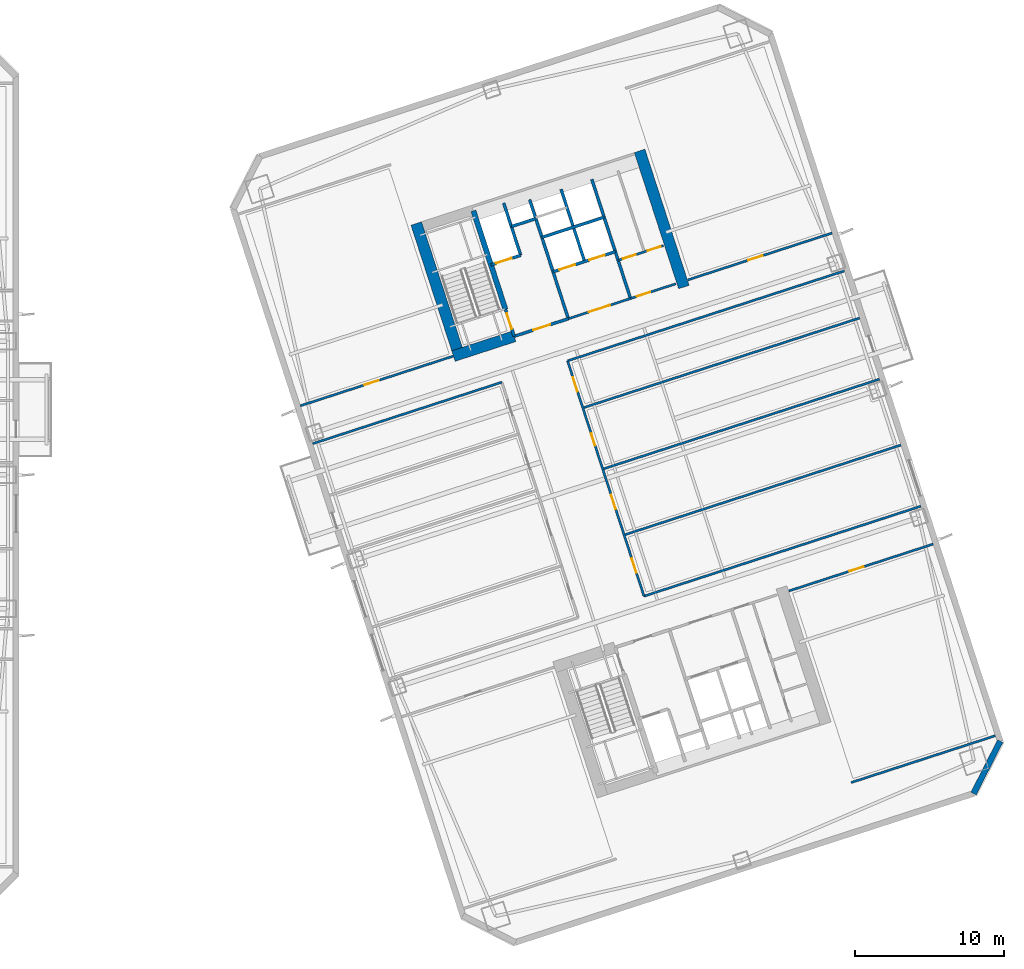
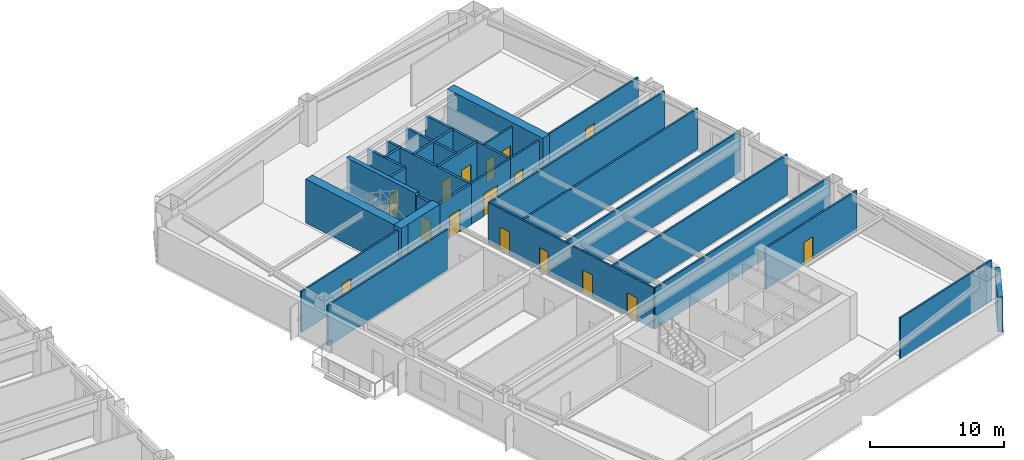
# One storey, part 8 of 21: 29 walls, 16 doors, 16 openings.
"""IFC4 building model written with IfcOpenShell, lengths in metres."""

from ifc_helpers import new_model, si_unit, direction, frame, frame_2d, origin, place, context, subcontext, project, spatial, rectangle, extrude, material, layer, layer_set, type_object, element, fill, save


model = new_model("IFC4")

# Units and contexts
model_context = context("Model", 3, precision=1e-05, world=origin(), true_north=direction((0.0, 1.0)))
body_context = subcontext(model_context, "Body", "Model", "MODEL_VIEW")
ifc_project = project(units=[si_unit("LENGTHUNIT", "METRE"), si_unit("AREAUNIT", "SQUARE_METRE"), si_unit("VOLUMEUNIT", "CUBIC_METRE"), si_unit("PLANEANGLEUNIT", "RADIAN"), si_unit("MASSUNIT", "GRAM", prefix="KILO")], contexts=[model_context])

# Site, building, storey
site_placement = place(None, origin())
site = spatial("IfcSite", under=ifc_project, at=site_placement, CompositionType="ELEMENT")
building_placement = place(site_placement, origin())
building = spatial("IfcBuilding", under=site, at=building_placement, Name="Qiaolan Cultural Towers", CompositionType="ELEMENT")
storey_placement = place(building_placement, frame((0.0, 0.0, 34.0)))
storey = spatial("IfcBuildingStorey", under=building, at=storey_placement, Name="L07", CompositionType="ELEMENT", Elevation=34.0)

# Walls
ifc_material_1 = material(Name="Concrete C50", Category="concrete")
ifc_layer_1 = layer(ifc_material_1, 0.35009765625)
ifc_layer_set_1 = layer_set([ifc_layer_1], Name="Concrete C50")
wall_type_1 = type_object("IfcWallType", Name="WL-CORE-350", PredefinedType="SHEAR", material=ifc_layer_set_1)
wall_1_placement = place(storey_placement, frame((82.513671875, 45.13134765625, 0.0), z_axis=(0.0, 0.0, 1.0), x_axis=(-0.308988790936, 0.951065679686, 0.0)))
element("IfcWall", 1, at=wall_1_placement, inside=storey, type_object=wall_type_1, Name="L07 T2-CN Stair Core Dividing Web", PredefinedType="SHEAR", context=body_context, shape_type="SweptSolid", body=[
    extrude(rectangle(XDim=6.97998046875, YDim=0.35009765625, at=frame_2d((3.489990234375, 0.0))), origin(), (0.0, 0.0, 1.0), 4.0),
])
ifc_material_2 = material(Name="Concrete C60", Category="concrete")
ifc_layer_2 = layer(ifc_material_2, 0.75)
ifc_layer_set_2 = layer_set([ifc_layer_2], Name="Concrete C60")
wall_type_2 = type_object("IfcWallType", Name="WL-CORE-750", PredefinedType="SHEAR", material=ifc_layer_set_2)
for number, where, z_axis, x_axis, name in (
    (2, (79.48876953125, 41.75634765625, 0.0), (0.0, 0.0, 1.0), (-0.309016134813, 0.951056795583, 0.0), "L07 T2-CN West Core Shear Wall"),
    (3, (94.515380859375, 46.638916015625, 0.0), (0.0, 0.0, 1.0), (-0.309016134813, 0.951056795583, 0.0), "L07 T2-CN East Core Shear Wall"),
):
    element("IfcWall", number, at=place(storey_placement, frame(where, z_axis=z_axis, x_axis=x_axis)), inside=storey, type_object=wall_type_2, Name=name, PredefinedType="SHEAR", context=body_context, shape_type="SweptSolid", body=[
        extrude(rectangle(XDim=9.630126953125, YDim=0.75, at=frame_2d((4.81494140625, 0.0))), origin(), (0.0, 0.0, 1.0), 4.0),
    ])
wall_2_placement = place(storey_placement, frame((79.01611328125, 41.997314453125, 0.0), z_axis=(0.0, 0.0, 1.0), x_axis=(0.95106038264, 0.309005094736, 0.0)))
element("IfcWall", 4, at=wall_2_placement, inside=storey, type_object=wall_type_2, Name="L07 T2-CN Stair Front Shear Wall", PredefinedType="SHEAR", context=body_context, shape_type="SweptSolid", body=[
    extrude(rectangle(XDim=4.294921875, YDim=0.75, at=frame_2d((2.1474609375, 0.0))), origin(), (0.0, 0.0, 1.0), 4.0),
])
ifc_material_3 = material(Name="Precast Concrete C50 Honed Stone Pier", Category="masonry")
ifc_layer_3 = layer(ifc_material_3, 0.39990234375)
ifc_layer_set_3 = layer_set([ifc_layer_3], Name="Precast Concrete C50 Honed Stone Pier")
wall_type_3 = type_object("IfcWallType", Name="WL-EXT-PIER-400", PredefinedType="SOLIDWALL", material=ifc_layer_set_3)
wall_3_placement = place(storey_placement, frame((115.79541015625, 16.094970703125, 0.0), z_axis=(0.0, 0.0, 1.0), x_axis=(-0.453958106755, -0.891023028497, 0.0)))
element("IfcWall", 5, at=wall_3_placement, inside=storey, type_object=wall_type_3, Name="L07 East Tower Precast Pier Facade Wall F6", PredefinedType="SOLIDWALL", context=body_context, shape_type="SweptSolid", body=[
    extrude(rectangle(XDim=3.9599609375, YDim=0.39990234375, at=frame_2d((1.97998046875, 0.0))), origin(), (0.0, 0.0, 1.0), 3.159912109375),
])

# Wall, opening, door
ifc_material_4 = material(Name="Concrete C35 Fire Wall", Category="concrete")
ifc_layer_4 = layer(ifc_material_4, 0.199951171875)
ifc_layer_set_4 = layer_set([ifc_layer_4], Name="Concrete C35 Fire Wall")
wall_type_4 = type_object("IfcWallType", Name="WL-FIRE-200", PredefinedType="PARTITIONING", material=ifc_layer_set_4)
wall_4_placement = place(storey_placement, frame((83.100830078125, 43.324462890625, 0.0), z_axis=(0.0, 0.0, 1.0), x_axis=(-0.309048298632, 0.951046344356, 0.0)))
wall_4 = element("IfcWall", 6, at=wall_4_placement, inside=storey, type_object=wall_type_4, Name="L07 T2-CN Smokeproof Stair Entry Wall", PredefinedType="PARTITIONING", context=body_context, shape_type="SweptSolid", body=[
    extrude(rectangle(XDim=1.89990234375, YDim=0.199951171875, at=frame_2d((0.949951171875, 0.0))), origin(), (0.0, 0.0, 1.0), 3.72509765625),
])
opening_1_placement = place(wall_4_placement, frame((0.52001953125, 0.0, 0.0)))
opening_1 = element("IfcOpeningElement", 7, at=opening_1_placement, cuts=wall_4, Name="Opening FD-04", PredefinedType="OPENING", context=body_context, shape_type="SweptSolid", body=[
    extrude(rectangle(XDim=1.10009765625, YDim=2.050048828125, at=frame_2d((0.550048828125, 1.02490234375))), frame((0.0, 0.10986328125, 0.0), z_axis=(0.0, -1.0, 0.0), x_axis=(1.0, 0.0, 0.0)), (0.0, 0.0, 1.0), 0.219970703125),
])
ifc_material_5 = material(Name="Galvanized Steel Command Fire Door", Category="steel")
door_type_1 = type_object("IfcDoorType", Name="DR-FD90-1100", OperationType="NOTDEFINED", PredefinedType="DOOR", material=ifc_material_5)
door_1_placement = place(opening_1_placement, origin())
door_1 = element("IfcDoor", 8, at=door_1_placement, inside=storey, type_object=door_type_1, Name="L07 ST-E2 Smokeproof Stair Fire Door", OperationType="SINGLE_SWING_LEFT", OverallHeight=2.050048828125, OverallWidth=1.10009765625, PredefinedType="DOOR", context=body_context, shape_type="SweptSolid", body=[
    extrude(rectangle(XDim=1.10009765625, YDim=2.050048828125, at=frame_2d((0.550048828125, 1.02490234375))), frame((0.0, 0.02490234375, 0.0), z_axis=(0.0, -1.0, 0.0), x_axis=(1.0, 0.0, 0.0)), (0.0, 0.0, 1.0), 0.050048828125),
])
fill(opening_1, door_1)

# Wall
wall_5_placement = place(storey_placement, frame((86.743408203125, 44.508056640625, 0.0), z_axis=(0.0, 0.0, 1.0), x_axis=(-0.309016001439, 0.951056838919, 0.0)))
element("IfcWall", 9, at=wall_5_placement, inside=storey, type_object=wall_type_4, Name="L07 T2-CN Firefighting Zone Wall", PredefinedType="PARTITIONING", context=body_context, shape_type="SweptSolid", body=[
    extrude(rectangle(XDim=8.429931640625, YDim=0.199951171875, at=frame_2d((4.21484375, 0.0))), origin(), (0.0, 0.0, 1.0), 3.72509765625),
])

# Wall, opening, door
wall_6_placement = place(storey_placement, frame((83.100830078125, 43.324462890625, 0.0), z_axis=(0.0, 0.0, 1.0), x_axis=(0.951052804469, 0.309028417967, 0.0)))
wall_6 = element("IfcWall", 10, at=wall_6_placement, inside=storey, type_object=wall_type_4, Name="L07 T2-CN Firefighting Lobby Front Wall", PredefinedType="PARTITIONING", context=body_context, shape_type="SweptSolid", body=[
    extrude(rectangle(XDim=3.830078125, YDim=0.199951171875, at=frame_2d((1.9150390625, 0.0))), origin(), (0.0, 0.0, 1.0), 3.72509765625),
])
opening_2_placement = place(wall_6_placement, frame((1.35009765625, 0.0, 0.0)))
opening_2 = element("IfcOpeningElement", 11, at=opening_2_placement, cuts=wall_6, Name="Opening FD-03", PredefinedType="OPENING", context=body_context, shape_type="SweptSolid", body=[
    extrude(rectangle(XDim=1.199951171875, YDim=2.050048828125, at=frame_2d((0.60009765625, 1.02490234375))), frame((0.0, 0.10986328125, 0.0), z_axis=(0.0, -1.0, 0.0), x_axis=(1.0, 0.0, 0.0)), (0.0, 0.0, 1.0), 0.219970703125),
])
ifc_material_6 = material(Name="Galvanized Steel Smokeproof Lobby Fire Door", Category="steel")
door_type_2 = type_object("IfcDoorType", Name="DR-FD90-1200", OperationType="NOTDEFINED", PredefinedType="DOOR", material=ifc_material_6)
door_2_placement = place(opening_2_placement, origin())
door_2 = element("IfcDoor", 12, at=door_2_placement, inside=storey, type_object=door_type_2, Name="L07 FFL-E2 Firefighting Lobby Fire Door", OperationType="SINGLE_SWING_LEFT", OverallHeight=2.050048828125, OverallWidth=1.199951171875, PredefinedType="DOOR", context=body_context, shape_type="SweptSolid", body=[
    extrude(rectangle(XDim=1.199951171875, YDim=2.050048828125, at=frame_2d((0.60009765625, 1.02490234375))), frame((0.0, 0.02490234375, 0.0), z_axis=(0.0, -1.0, 0.0), x_axis=(1.0, 0.0, 0.0)), (0.0, 0.0, 1.0), 0.050048828125),
])
fill(opening_2, door_2)

wall_7_placement = place(storey_placement, frame((81.540283203125, 48.127197265625, 0.0), z_axis=(0.0, 0.0, 1.0), x_axis=(0.951062257173, 0.308999325213, 0.0)))
wall_7 = element("IfcWall", 13, at=wall_7_placement, inside=storey, type_object=wall_type_4, Name="L07 T2-CN Firefighting Shaft Front Wall", PredefinedType="PARTITIONING", context=body_context, shape_type="SweptSolid", body=[
    extrude(rectangle(XDim=2.10009765625, YDim=0.199951171875, at=frame_2d((1.050048828125, 0.0))), origin(), (0.0, 0.0, 1.0), 3.72509765625),
])
opening_3_placement = place(wall_7_placement, frame((0.35009765625, 0.0, 0.0)))
opening_3 = element("IfcOpeningElement", 14, at=opening_3_placement, cuts=wall_7, Name="Opening LD-01", PredefinedType="OPENING", context=body_context, shape_type="SweptSolid", body=[
    extrude(rectangle(XDim=1.10009765625, YDim=2.050048828125, at=frame_2d((0.550048828125, 1.02490234375))), frame((0.0, 0.10986328125, 0.0), z_axis=(0.0, -1.0, 0.0), x_axis=(1.0, 0.0, 0.0)), (0.0, 0.0, 1.0), 0.219970703125),
])
ifc_material_7 = material(Name="Brushed Stainless Steel S30408 Centre-Parting Lift Landing Door", Category="steel")
door_type_3 = type_object("IfcDoorType", Name="DR-LIFT-1100", OperationType="NOTDEFINED", PredefinedType="DOOR", material=ifc_material_7)
door_3_placement = place(opening_3_placement, origin())
door_3 = element("IfcDoor", 15, at=door_3_placement, inside=storey, type_object=door_type_3, Name="L07 FFL-E2 Firefighting Lift Landing Door", OperationType="DOUBLE_DOOR_SLIDING", OverallHeight=2.050048828125, OverallWidth=1.10009765625, PredefinedType="DOOR", context=body_context, shape_type="SweptSolid", body=[
    extrude(rectangle(XDim=1.10009765625, YDim=2.050048828125, at=frame_2d((0.550048828125, 1.02490234375))), frame((0.0, 0.02490234375, 0.0), z_axis=(0.0, -1.0, 0.0), x_axis=(1.0, 0.0, 0.0)), (0.0, 0.0, 1.0), 0.050048828125),
])
fill(opening_3, door_3)

# Walls
wall_8_placement = place(storey_placement, frame((83.53759765625, 48.776123046875, 0.0), z_axis=(0.0, 0.0, 1.0), x_axis=(-0.3089935693, 0.951064127245, 0.0)))
element("IfcWall", 16, at=wall_8_placement, inside=storey, type_object=wall_type_4, Name="L07 T2-CN Firefighting Hoistway East Wall", PredefinedType="PARTITIONING", context=body_context, shape_type="SweptSolid", body=[
    extrude(rectangle(XDim=3.7001953125, YDim=0.199951171875, at=frame_2d((1.85009765625, 0.0))), origin(), (0.0, 0.0, 1.0), 3.72509765625),
])
wall_9_placement = place(storey_placement, frame((82.910400390625, 50.706787109375, 0.0), z_axis=(0.0, 0.0, 1.0), x_axis=(0.951041328149, 0.309063734775, 0.0)))
element("IfcWall", 17, at=wall_9_placement, inside=storey, type_object=wall_type_4, Name="L07 T2-CN Pressurization Shaft Front Wall", PredefinedType="PARTITIONING", context=body_context, shape_type="SweptSolid", body=[
    extrude(rectangle(XDim=1.72998046875, YDim=0.199951171875, at=frame_2d((0.864990234375, 0.0))), origin(), (0.0, 0.0, 1.0), 3.72509765625),
])
wall_10_placement = place(storey_placement, frame((90.92822265625, 45.86767578125, 0.0), z_axis=(0.0, 0.0, 1.0), x_axis=(-0.309042196757, 0.951048327176, 0.0)))
element("IfcWall", 18, at=wall_10_placement, inside=storey, type_object=wall_type_4, Name="L07 T2-CN Lift Core East Wall", PredefinedType="PARTITIONING", context=body_context, shape_type="SweptSolid", body=[
    extrude(rectangle(XDim=8.429931640625, YDim=0.199951171875, at=frame_2d((4.21484375, 0.0))), origin(), (0.0, 0.0, 1.0), 3.72509765625),
])

# Wall, openings, doors
wall_11_placement = place(storey_placement, frame((85.717529296875, 47.66552734375, 0.0), z_axis=(0.0, 0.0, 1.0), x_axis=(0.951058531764, 0.30901079133, 0.0)))
wall_11 = element("IfcWall", 19, at=wall_11_placement, inside=storey, type_object=wall_type_4, Name="L07 T2-CN Passenger Lift Shaft Front Wall", PredefinedType="PARTITIONING", context=body_context, shape_type="SweptSolid", body=[
    extrude(rectangle(XDim=4.39990234375, YDim=0.199951171875, at=frame_2d((2.199951171875, 0.0))), origin(), (0.0, 0.0, 1.0), 3.72509765625),
])
opening_4_placement = place(wall_11_placement, frame((0.449951171875, 0.0, 0.0)))
opening_4 = element("IfcOpeningElement", 20, at=opening_4_placement, cuts=wall_11, Name="Opening LD-01", PredefinedType="OPENING", context=body_context, shape_type="SweptSolid", body=[
    extrude(rectangle(XDim=1.10009765625, YDim=2.050048828125, at=frame_2d((0.550048828125, 1.02490234375))), frame((0.0, 0.10986328125, 0.0), z_axis=(0.0, -1.0, 0.0), x_axis=(1.0, 0.0, 0.0)), (0.0, 0.0, 1.0), 0.219970703125),
])
opening_5_placement = place(wall_11_placement, frame((2.550048828125, 0.0, 0.0)))
opening_5 = element("IfcOpeningElement", 21, at=opening_5_placement, cuts=wall_11, Name="Opening LD-01", PredefinedType="OPENING", context=body_context, shape_type="SweptSolid", body=[
    extrude(rectangle(XDim=1.10009765625, YDim=2.050048828125, at=frame_2d((0.550048828125, 1.02490234375))), frame((0.0, 0.10986328125, 0.0), z_axis=(0.0, -1.0, 0.0), x_axis=(1.0, 0.0, 0.0)), (0.0, 0.0, 1.0), 0.219970703125),
])
door_4_placement = place(opening_4_placement, origin())
door_4 = element("IfcDoor", 22, at=door_4_placement, inside=storey, type_object=door_type_3, Name="L07 Passenger Lift 1 Landing Door", OperationType="DOUBLE_DOOR_SLIDING", OverallHeight=2.050048828125, OverallWidth=1.10009765625, PredefinedType="DOOR", context=body_context, shape_type="SweptSolid", body=[
    extrude(rectangle(XDim=1.10009765625, YDim=2.050048828125, at=frame_2d((0.550048828125, 1.02490234375))), frame((0.0, 0.02490234375, 0.0), z_axis=(0.0, -1.0, 0.0), x_axis=(1.0, 0.0, 0.0)), (0.0, 0.0, 1.0), 0.050048828125),
])
fill(opening_4, door_4)
door_5_placement = place(opening_5_placement, origin())
door_5 = element("IfcDoor", 23, at=door_5_placement, inside=storey, type_object=door_type_3, Name="L07 Passenger Lift 2 Landing Door", OperationType="DOUBLE_DOOR_SLIDING", OverallHeight=2.050048828125, OverallWidth=1.10009765625, PredefinedType="DOOR", context=body_context, shape_type="SweptSolid", body=[
    extrude(rectangle(XDim=1.10009765625, YDim=2.050048828125, at=frame_2d((0.550048828125, 1.02490234375))), frame((0.0, 0.02490234375, 0.0), z_axis=(0.0, -1.0, 0.0), x_axis=(1.0, 0.0, 0.0)), (0.0, 0.0, 1.0), 0.050048828125),
])
fill(opening_5, door_5)

# Walls
wall_12_placement = place(storey_placement, frame((87.83837890625, 48.3544921875, 0.0), z_axis=(0.0, 0.0, 1.0), x_axis=(-0.3090093719, 0.951058992953, 0.0)))
element("IfcWall", 24, at=wall_12_placement, inside=storey, type_object=wall_type_4, Name="L07 T2-CN Lift Shaft Divider Wall", PredefinedType="PARTITIONING", context=body_context, shape_type="SweptSolid", body=[
    extrude(rectangle(XDim=5.110107421875, YDim=0.199951171875, at=frame_2d((2.55517578125, 0.0))), origin(), (0.0, 0.0, 1.0), 3.72509765625),
])
wall_13_placement = place(storey_placement, frame((84.966552734375, 49.9765625, 0.0), z_axis=(0.0, 0.0, 1.0), x_axis=(0.951063829732, 0.308994485023, 0.0)))
element("IfcWall", 25, at=wall_13_placement, inside=storey, type_object=wall_type_4, Name="L07 T2-CN Passenger Lift Shaft Back Wall", PredefinedType="PARTITIONING", context=body_context, shape_type="SweptSolid", body=[
    extrude(rectangle(XDim=4.400146484375, YDim=0.199951171875, at=frame_2d((2.2001953125, 0.0))), origin(), (0.0, 0.0, 1.0), 3.72509765625),
])

# Wall, opening, door
ifc_material_8 = material(Name="Autoclaved Aerated Concrete Block B06", Category="concrete")
ifc_layer_5 = layer(ifc_material_8, 0.14990234375)
ifc_layer_set_5 = layer_set([ifc_layer_5], Name="Autoclaved Aerated Concrete Block B06")
wall_type_5 = type_object("IfcWallType", Name="WL-PART-150", PredefinedType="PARTITIONING", material=ifc_layer_set_5)
wall_14_placement = place(storey_placement, frame((86.743408203125, 44.508056640625, 0.0), z_axis=(0.0, 0.0, 1.0), x_axis=(0.951063829732, 0.308994485023, 0.0)))
wall_14 = element("IfcWall", 26, at=wall_14_placement, inside=storey, type_object=wall_type_5, Name="L07 T2-CN Passenger Lift Lobby Front Wall", PredefinedType="PARTITIONING", context=body_context, shape_type="SweptSolid", body=[
    extrude(rectangle(XDim=4.400146484375, YDim=0.14990234375, at=frame_2d((2.2001953125, 0.0))), origin(), (0.0, 0.0, 1.0), 3.72509765625),
])
opening_6_placement = place(wall_14_placement, frame((1.449951171875, 0.0, 0.0)))
opening_6 = element("IfcOpeningElement", 27, at=opening_6_placement, cuts=wall_14, Name="Opening FD-05", PredefinedType="OPENING", context=body_context, shape_type="SweptSolid", body=[
    extrude(rectangle(XDim=1.5, YDim=2.050048828125, at=frame_2d((0.75, 1.02490234375))), frame((0.0, 0.0849609375, 0.0), z_axis=(0.0, -1.0, 0.0), x_axis=(1.0, 0.0, 0.0)), (0.0, 0.0, 1.0), 0.169921875),
])
ifc_material_9 = material(Name="Painted Steel Lift Lobby Fire Door", Category="steel")
door_type_4 = type_object("IfcDoorType", Name="DR-FD60-1500", OperationType="NOTDEFINED", PredefinedType="DOOR", material=ifc_material_9)
door_6_placement = place(opening_6_placement, origin())
door_6 = element("IfcDoor", 28, at=door_6_placement, inside=storey, type_object=door_type_4, Name="L07 Passenger Lift Lobby Entrance", OperationType="SINGLE_SWING_LEFT", OverallHeight=2.050048828125, OverallWidth=1.5, PredefinedType="DOOR", context=body_context, shape_type="SweptSolid", body=[
    extrude(rectangle(XDim=1.5, YDim=2.050048828125, at=frame_2d((0.75, 1.02490234375))), frame((0.0, 0.02490234375, 0.0), z_axis=(0.0, -1.0, 0.0), x_axis=(1.0, 0.0, 0.0)), (0.0, 0.0, 1.0), 0.050048828125),
])
fill(opening_6, door_6)

wall_15_placement = place(storey_placement, frame((90.92822265625, 45.86767578125, 0.0), z_axis=(0.0, 0.0, 1.0), x_axis=(0.951059297078, 0.309008435874, 0.0)))
wall_15 = element("IfcWall", 29, at=wall_15_placement, inside=storey, type_object=wall_type_5, Name="L07 T2-CN Sanitary Core Front Wall", PredefinedType="PARTITIONING", context=body_context, shape_type="SweptSolid", body=[
    extrude(rectangle(XDim=3.19970703125, YDim=0.14990234375, at=frame_2d((1.599853515625, 0.0))), origin(), (0.0, 0.0, 1.0), 3.72509765625),
])
opening_7_placement = place(wall_15_placement, frame((0.449951171875, 0.0, 0.0)))
opening_7 = element("IfcOpeningElement", 30, at=opening_7_placement, cuts=wall_15, Name="Opening ID-05", PredefinedType="OPENING", context=body_context, shape_type="SweptSolid", body=[
    extrude(rectangle(XDim=0.949951171875, YDim=2.050048828125, at=frame_2d((0.47509765625, 1.02490234375))), frame((0.0, 0.0849609375, 0.0), z_axis=(0.0, -1.0, 0.0), x_axis=(1.0, 0.0, 0.0)), (0.0, 0.0, 1.0), 0.169921875),
])
ifc_material_10 = material(Name="Fire-Rated Laminate Accessible Core Door", Category="timber")
door_type_5 = type_object("IfcDoorType", Name="DR-INT-950", OperationType="NOTDEFINED", PredefinedType="DOOR", material=ifc_material_10)
door_7_placement = place(opening_7_placement, origin())
door_7 = element("IfcDoor", 31, at=door_7_placement, inside=storey, type_object=door_type_5, Name="L07 Sanitary Vestibule Door", OperationType="SINGLE_SWING_LEFT", OverallHeight=2.050048828125, OverallWidth=0.949951171875, PredefinedType="DOOR", context=body_context, shape_type="SweptSolid", body=[
    extrude(rectangle(XDim=0.949951171875, YDim=2.050048828125, at=frame_2d((0.47509765625, 1.02490234375))), frame((0.0, 0.02490234375, 0.0), z_axis=(0.0, -1.0, 0.0), x_axis=(1.0, 0.0, 0.0)), (0.0, 0.0, 1.0), 0.050048828125),
])
fill(opening_7, door_7)

# Wall, openings, doors
wall_16_placement = place(storey_placement, frame((90.09375, 48.435546875, 0.0), z_axis=(0.0, 0.0, 1.0), x_axis=(0.951066581729, 0.308986014439, 0.0)))
wall_16 = element("IfcWall", 32, at=wall_16_placement, inside=storey, type_object=wall_type_5, Name="L07 T2-CN Restroom Vestibule Wall", PredefinedType="PARTITIONING", context=body_context, shape_type="SweptSolid", body=[
    extrude(rectangle(XDim=3.199951171875, YDim=0.14990234375, at=frame_2d((1.60009765625, 0.0))), origin(), (0.0, 0.0, 1.0), 3.72509765625),
])
opening_8_placement = place(wall_16_placement, frame((0.35009765625, 0.0, 0.0)))
opening_8 = element("IfcOpeningElement", 33, at=opening_8_placement, cuts=wall_16, Name="Opening ID-06", PredefinedType="OPENING", context=body_context, shape_type="SweptSolid", body=[
    extrude(rectangle(XDim=0.89990234375, YDim=2.050048828125, at=frame_2d((0.449951171875, 1.02490234375))), frame((0.0, 0.0849609375, 0.0), z_axis=(0.0, -1.0, 0.0), x_axis=(1.0, 0.0, 0.0)), (0.0, 0.0, 1.0), 0.169921875),
])
opening_9_placement = place(wall_16_placement, frame((2.10009765625, 0.0, 0.0)))
opening_9 = element("IfcOpeningElement", 34, at=opening_9_placement, cuts=wall_16, Name="Opening ID-06", PredefinedType="OPENING", context=body_context, shape_type="SweptSolid", body=[
    extrude(rectangle(XDim=0.89990234375, YDim=2.050048828125, at=frame_2d((0.449951171875, 1.02490234375))), frame((0.0, 0.0849609375, 0.0), z_axis=(0.0, -1.0, 0.0), x_axis=(1.0, 0.0, 0.0)), (0.0, 0.0, 1.0), 0.169921875),
])
ifc_material_11 = material(Name="Fire-Rated Laminate Core Service Door", Category="timber")
door_type_6 = type_object("IfcDoorType", Name="DR-INT-900", OperationType="NOTDEFINED", PredefinedType="DOOR", material=ifc_material_11)
door_8_placement = place(opening_8_placement, origin())
door_8 = element("IfcDoor", 35, at=door_8_placement, inside=storey, type_object=door_type_6, Name="L07 Men Restroom Door", OperationType="SINGLE_SWING_LEFT", OverallHeight=2.050048828125, OverallWidth=0.89990234375, PredefinedType="DOOR", context=body_context, shape_type="SweptSolid", body=[
    extrude(rectangle(XDim=0.89990234375, YDim=2.050048828125, at=frame_2d((0.449951171875, 1.02490234375))), frame((0.0, 0.02490234375, 0.0), z_axis=(0.0, -1.0, 0.0), x_axis=(1.0, 0.0, 0.0)), (0.0, 0.0, 1.0), 0.050048828125),
])
fill(opening_8, door_8)
door_9_placement = place(opening_9_placement, origin())
door_9 = element("IfcDoor", 36, at=door_9_placement, inside=storey, type_object=door_type_6, Name="L07 Accessible & Women Restroom Door", OperationType="SINGLE_SWING_RIGHT", OverallHeight=2.050048828125, OverallWidth=0.89990234375, PredefinedType="DOOR", context=body_context, shape_type="SweptSolid", body=[
    extrude(rectangle(XDim=0.89990234375, YDim=2.050048828125, at=frame_2d((0.449951171875, 1.02490234375))), frame((0.0, 0.02490234375, 0.0), z_axis=(0.0, -1.0, 0.0), x_axis=(1.0, 0.0, 0.0)), (0.0, 0.0, 1.0), 0.050048828125),
])
fill(opening_9, door_9)

# Wall
wall_17_placement = place(storey_placement, frame((105.765380859375, 13.30908203125, 0.0), z_axis=(0.0, 0.0, 1.0), x_axis=(0.951054294345, 0.309023832749, 0.0)))
element("IfcWall", 37, at=wall_17_placement, inside=storey, type_object=wall_type_5, Name="L07 T2 Flank Wall FLK-SE", PredefinedType="PARTITIONING", context=body_context, shape_type="SweptSolid", body=[
    extrude(rectangle(XDim=10.2001953125, YDim=0.14990234375, at=frame_2d((5.10009765625, 0.0))), origin(), (0.0, 0.0, 1.0), 3.72509765625),
])

# Wall, opening, door
wall_18_placement = place(storey_placement, frame((101.578369140625, 26.196044921875, 0.0), z_axis=(0.0, 0.0, 1.0), x_axis=(0.951059043131, 0.309009217467, 0.0)))
wall_18 = element("IfcWall", 38, at=wall_18_placement, inside=storey, type_object=wall_type_5, Name="L07 T2 Flank Front FLK-SE", PredefinedType="PARTITIONING", context=body_context, shape_type="SweptSolid", body=[
    extrude(rectangle(XDim=10.199951171875, YDim=0.14990234375, at=frame_2d((5.10009765625, 0.0))), origin(), (0.0, 0.0, 1.0), 3.72509765625),
])
opening_10_placement = place(wall_18_placement, frame((4.283935546875, 0.0, 0.0)))
opening_10 = element("IfcOpeningElement", 39, at=opening_10_placement, cuts=wall_18, Name="Opening ID-04", PredefinedType="OPENING", context=body_context, shape_type="SweptSolid", body=[
    extrude(rectangle(XDim=1.0, YDim=2.050048828125, at=frame_2d((0.5, 1.02490234375))), frame((0.0, 0.0849609375, 0.0), z_axis=(0.0, -1.0, 0.0), x_axis=(1.0, 0.0, 0.0)), (0.0, 0.0, 1.0), 0.169921875),
])
ifc_material_12 = material(Name="Oak Veneer Acoustic Office Door", Category="timber")
door_type_7 = type_object("IfcDoorType", Name="DR-INT-1000", OperationType="NOTDEFINED", PredefinedType="DOOR", material=ifc_material_12)
door_10_placement = place(opening_10_placement, origin())
door_10 = element("IfcDoor", 40, at=door_10_placement, inside=storey, type_object=door_type_7, Name="L07 T2 Corner Studio Door", OperationType="SINGLE_SWING_LEFT", OverallHeight=2.050048828125, OverallWidth=1.0, PredefinedType="DOOR", context=body_context, shape_type="SweptSolid", body=[
    extrude(rectangle(XDim=1.0, YDim=2.050048828125, at=frame_2d((0.5, 1.02490234375))), frame((0.0, 0.02490234375, 0.0), z_axis=(0.0, -1.0, 0.0), x_axis=(1.0, 0.0, 0.0)), (0.0, 0.0, 1.0), 0.050048828125),
])
fill(opening_10, door_10)

wall_19_placement = place(storey_placement, frame((68.720947265625, 38.652099609375, 0.0), z_axis=(0.0, 0.0, 1.0), x_axis=(0.951056658866, 0.309016555588, 0.0)))
wall_19 = element("IfcWall", 41, at=wall_19_placement, inside=storey, type_object=wall_type_5, Name="L07 T2 Flank Front FLK-NW", PredefinedType="PARTITIONING", context=body_context, shape_type="SweptSolid", body=[
    extrude(rectangle(XDim=10.800048828125, YDim=0.14990234375, at=frame_2d((5.39990234375, 0.0))), origin(), (0.0, 0.0, 1.0), 3.72509765625),
])
opening_11_placement = place(wall_19_placement, frame((4.535888671875, 0.0, 0.0)))
opening_11 = element("IfcOpeningElement", 42, at=opening_11_placement, cuts=wall_19, Name="Opening ID-04", PredefinedType="OPENING", context=body_context, shape_type="SweptSolid", body=[
    extrude(rectangle(XDim=1.0, YDim=2.050048828125, at=frame_2d((0.5, 1.02490234375))), frame((0.0, 0.0849609375, 0.0), z_axis=(0.0, -1.0, 0.0), x_axis=(1.0, 0.0, 0.0)), (0.0, 0.0, 1.0), 0.169921875),
])
door_11_placement = place(opening_11_placement, origin())
door_11 = element("IfcDoor", 43, at=door_11_placement, inside=storey, type_object=door_type_7, Name="L07 T2 Corner Studio Door", OperationType="SINGLE_SWING_LEFT", OverallHeight=2.050048828125, OverallWidth=1.0, PredefinedType="DOOR", context=body_context, shape_type="SweptSolid", body=[
    extrude(rectangle(XDim=1.0, YDim=2.050048828125, at=frame_2d((0.5, 1.02490234375))), frame((0.0, 0.02490234375, 0.0), z_axis=(0.0, -1.0, 0.0), x_axis=(1.0, 0.0, 0.0)), (0.0, 0.0, 1.0), 0.050048828125),
])
fill(opening_11, door_11)

wall_20_placement = place(storey_placement, frame((94.77978515625, 47.119140625, 0.0), z_axis=(0.0, 0.0, 1.0), x_axis=(0.951054294345, 0.309023832749, 0.0)))
wall_20 = element("IfcWall", 44, at=wall_20_placement, inside=storey, type_object=wall_type_5, Name="L07 T2 Flank Front FLK-NE", PredefinedType="PARTITIONING", context=body_context, shape_type="SweptSolid", body=[
    extrude(rectangle(XDim=10.2001953125, YDim=0.14990234375, at=frame_2d((5.10009765625, 0.0))), origin(), (0.0, 0.0, 1.0), 3.72509765625),
])
opening_12_placement = place(wall_20_placement, frame((4.283935546875, 0.0, 0.0)))
opening_12 = element("IfcOpeningElement", 45, at=opening_12_placement, cuts=wall_20, Name="Opening ID-04", PredefinedType="OPENING", context=body_context, shape_type="SweptSolid", body=[
    extrude(rectangle(XDim=1.0, YDim=2.050048828125, at=frame_2d((0.5, 1.02490234375))), frame((0.0, 0.0849609375, 0.0), z_axis=(0.0, -1.0, 0.0), x_axis=(1.0, 0.0, 0.0)), (0.0, 0.0, 1.0), 0.169921875),
])
door_12_placement = place(opening_12_placement, origin())
door_12 = element("IfcDoor", 46, at=door_12_placement, inside=storey, type_object=door_type_7, Name="L07 T2 Corner Studio Door", OperationType="SINGLE_SWING_LEFT", OverallHeight=2.050048828125, OverallWidth=1.0, PredefinedType="DOOR", context=body_context, shape_type="SweptSolid", body=[
    extrude(rectangle(XDim=1.0, YDim=2.050048828125, at=frame_2d((0.5, 1.02490234375))), frame((0.0, 0.02490234375, 0.0), z_axis=(0.0, -1.0, 0.0), x_axis=(1.0, 0.0, 0.0)), (0.0, 0.0, 1.0), 0.050048828125),
])
fill(opening_12, door_12)

# Walls
wall_21_placement = place(storey_placement, frame((91.833984375, 25.84765625, 0.0), z_axis=(0.0, 0.0, 1.0), x_axis=(0.951055605195, 0.309019798438, 0.0)))
element("IfcWall", 47, at=wall_21_placement, inside=storey, type_object=wall_type_5, Name="L07 T2 South Corridor Right Wall", PredefinedType="PARTITIONING", context=body_context, shape_type="SweptSolid", body=[
    extrude(rectangle(XDim=19.574951171875, YDim=0.14990234375, at=frame_2d((9.78759765625, 0.0))), origin(), (0.0, 0.0, 1.0), 3.72509765625),
])
wall_22_placement = place(storey_placement, frame((69.549072265625, 36.103271484375, 0.0), z_axis=(0.0, 0.0, 1.0), x_axis=(0.951058077006, 0.309012190961, 0.0)))
element("IfcWall", 48, at=wall_22_placement, inside=storey, type_object=wall_type_5, Name="L07 T2 North Corridor Left Wall", PredefinedType="PARTITIONING", context=body_context, shape_type="SweptSolid", body=[
    extrude(rectangle(XDim=13.375, YDim=0.14990234375, at=frame_2d((6.6875, 0.0))), origin(), (0.0, 0.0, 1.0), 3.72509765625),
])
wall_23_placement = place(storey_placement, frame((86.69189453125, 41.67333984375, 0.0), z_axis=(0.0, 0.0, 1.0), x_axis=(0.951055605195, 0.309019798438, 0.0)))
element("IfcWall", 49, at=wall_23_placement, inside=storey, type_object=wall_type_5, Name="L07 T2 North Corridor Right Wall", PredefinedType="PARTITIONING", context=body_context, shape_type="SweptSolid", body=[
    extrude(rectangle(XDim=19.574951171875, YDim=0.14990234375, at=frame_2d((9.78759765625, 0.0))), origin(), (0.0, 0.0, 1.0), 3.72509765625),
])

# Wall, openings, doors
wall_24_placement = place(storey_placement, frame((91.833984375, 25.84765625, 0.0), z_axis=(0.0, 0.0, 1.0), x_axis=(-0.30901773025, 0.951056277195, 0.0)))
wall_24 = element("IfcWall", 50, at=wall_24_placement, inside=storey, type_object=wall_type_5, Name="L07 T2 East Spine Wall", PredefinedType="PARTITIONING", context=body_context, shape_type="SweptSolid", body=[
    extrude(rectangle(XDim=16.64013671875, YDim=0.14990234375, at=frame_2d((8.320068359375, 0.0))), origin(), (0.0, 0.0, 1.0), 3.72509765625),
])
opening_13_placement = place(wall_24_placement, frame((1.6630859375, 0.0, 0.0)))
opening_13 = element("IfcOpeningElement", 51, at=opening_13_placement, cuts=wall_24, Name="Opening ID-04", PredefinedType="OPENING", context=body_context, shape_type="SweptSolid", body=[
    extrude(rectangle(XDim=1.0, YDim=2.050048828125, at=frame_2d((0.5, 1.02490234375))), frame((0.0, 0.0849609375, 0.0), z_axis=(0.0, -1.0, 0.0), x_axis=(1.0, 0.0, 0.0)), (0.0, 0.0, 1.0), 0.169921875),
])
opening_14_placement = place(wall_24_placement, frame((6.156005859375, 0.0, 0.0)))
opening_14 = element("IfcOpeningElement", 52, at=opening_14_placement, cuts=wall_24, Name="Opening ID-04", PredefinedType="OPENING", context=body_context, shape_type="SweptSolid", body=[
    extrude(rectangle(XDim=1.0, YDim=2.050048828125, at=frame_2d((0.5, 1.02490234375))), frame((0.0, 0.0849609375, 0.0), z_axis=(0.0, -1.0, 0.0), x_axis=(1.0, 0.0, 0.0)), (0.0, 0.0, 1.0), 0.169921875),
])
opening_15_placement = place(wall_24_placement, frame((10.648681640625, 0.0, 0.0)))
opening_15 = element("IfcOpeningElement", 53, at=opening_15_placement, cuts=wall_24, Name="Opening ID-09", PredefinedType="OPENING", context=body_context, shape_type="SweptSolid", body=[
    extrude(rectangle(XDim=0.85009765625, YDim=2.050048828125, at=frame_2d((0.425048828125, 1.02490234375))), frame((0.0, 0.0849609375, 0.0), z_axis=(0.0, -1.0, 0.0), x_axis=(1.0, 0.0, 0.0)), (0.0, 0.0, 1.0), 0.169921875),
])
opening_16_placement = place(wall_24_placement, frame((14.47607421875, 0.0, 0.0)))
opening_16 = element("IfcOpeningElement", 54, at=opening_16_placement, cuts=wall_24, Name="Opening ID-04", PredefinedType="OPENING", context=body_context, shape_type="SweptSolid", body=[
    extrude(rectangle(XDim=1.0, YDim=2.050048828125, at=frame_2d((0.5, 1.02490234375))), frame((0.0, 0.0849609375, 0.0), z_axis=(0.0, -1.0, 0.0), x_axis=(1.0, 0.0, 0.0)), (0.0, 0.0, 1.0), 0.169921875),
])
door_13_placement = place(opening_13_placement, origin())
door_13 = element("IfcDoor", 55, at=door_13_placement, inside=storey, type_object=door_type_7, Name="L07 T2 Design Office Door", OperationType="SINGLE_SWING_RIGHT", OverallHeight=2.050048828125, OverallWidth=1.0, PredefinedType="DOOR", context=body_context, shape_type="SweptSolid", body=[
    extrude(rectangle(XDim=1.0, YDim=2.050048828125, at=frame_2d((0.5, 1.02490234375))), frame((0.0, 0.02490234375, 0.0), z_axis=(0.0, -1.0, 0.0), x_axis=(1.0, 0.0, 0.0)), (0.0, 0.0, 1.0), 0.050048828125),
])
fill(opening_13, door_13)
door_14_placement = place(opening_14_placement, origin())
door_14 = element("IfcDoor", 56, at=door_14_placement, inside=storey, type_object=door_type_7, Name="L07 T2 Boardroom Door", OperationType="SINGLE_SWING_LEFT", OverallHeight=2.050048828125, OverallWidth=1.0, PredefinedType="DOOR", context=body_context, shape_type="SweptSolid", body=[
    extrude(rectangle(XDim=1.0, YDim=2.050048828125, at=frame_2d((0.5, 1.02490234375))), frame((0.0, 0.02490234375, 0.0), z_axis=(0.0, -1.0, 0.0), x_axis=(1.0, 0.0, 0.0)), (0.0, 0.0, 1.0), 0.050048828125),
])
fill(opening_14, door_14)
door_15_placement = place(opening_16_placement, origin())
door_15 = element("IfcDoor", 57, at=door_15_placement, inside=storey, type_object=door_type_7, Name="L07 T2 Design Office Door", OperationType="SINGLE_SWING_LEFT", OverallHeight=2.050048828125, OverallWidth=1.0, PredefinedType="DOOR", context=body_context, shape_type="SweptSolid", body=[
    extrude(rectangle(XDim=1.0, YDim=2.050048828125, at=frame_2d((0.5, 1.02490234375))), frame((0.0, 0.02490234375, 0.0), z_axis=(0.0, -1.0, 0.0), x_axis=(1.0, 0.0, 0.0)), (0.0, 0.0, 1.0), 0.050048828125),
])
fill(opening_16, door_15)
ifc_material_13 = material(Name="Moisture-Resistant Laminate Utility Door", Category="timber")
door_type_8 = type_object("IfcDoorType", Name="DR-INT-850", OperationType="NOTDEFINED", PredefinedType="DOOR", material=ifc_material_13)
door_16_placement = place(opening_15_placement, origin())
door_16 = element("IfcDoor", 58, at=door_16_placement, inside=storey, type_object=door_type_8, Name="L07 T2 Tea Pantry Door", OperationType="SINGLE_SWING_RIGHT", OverallHeight=2.050048828125, OverallWidth=0.85009765625, PredefinedType="DOOR", context=body_context, shape_type="SweptSolid", body=[
    extrude(rectangle(XDim=0.85009765625, YDim=2.050048828125, at=frame_2d((0.425048828125, 1.02490234375))), frame((0.0, 0.02490234375, 0.0), z_axis=(0.0, -1.0, 0.0), x_axis=(1.0, 0.0, 0.0)), (0.0, 0.0, 1.0), 0.050048828125),
])
fill(opening_15, door_16)

# Walls
for number, where, z_axis, x_axis, name in (
    (59, (90.4970703125, 29.96240234375, 0.0), (0.0, 0.0, 1.0), (0.951055605195, 0.309019798438, 0.0), "L07 T2 East Partition 1"),
    (60, (89.05712890625, 34.3935546875, 0.0), (0.0, 0.0, 1.0), (0.951055605195, 0.309019798438, 0.0), "L07 T2 East Partition 2"),
    (61, (87.72021484375, 38.50830078125, 0.0), (0.0, 0.0, 1.0), (0.951059270613, 0.309008517326, 0.0), "L07 T2 East Partition 3"),
):
    element("IfcWall", number, at=place(storey_placement, frame(where, z_axis=z_axis, x_axis=x_axis)), inside=storey, type_object=wall_type_5, Name=name, PredefinedType="PARTITIONING", context=body_context, shape_type="SweptSolid", body=[
        extrude(rectangle(XDim=19.574951171875, YDim=0.14990234375, at=frame_2d((9.78759765625, 0.0))), origin(), (0.0, 0.0, 1.0), 3.72509765625),
    ])

save(model, "model.ifc")
